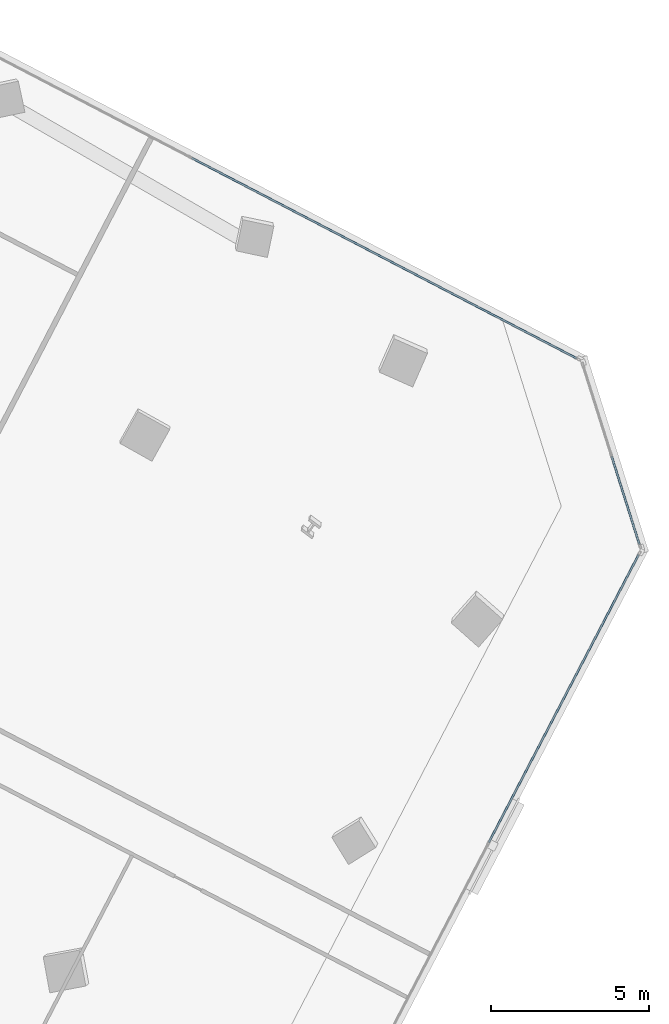
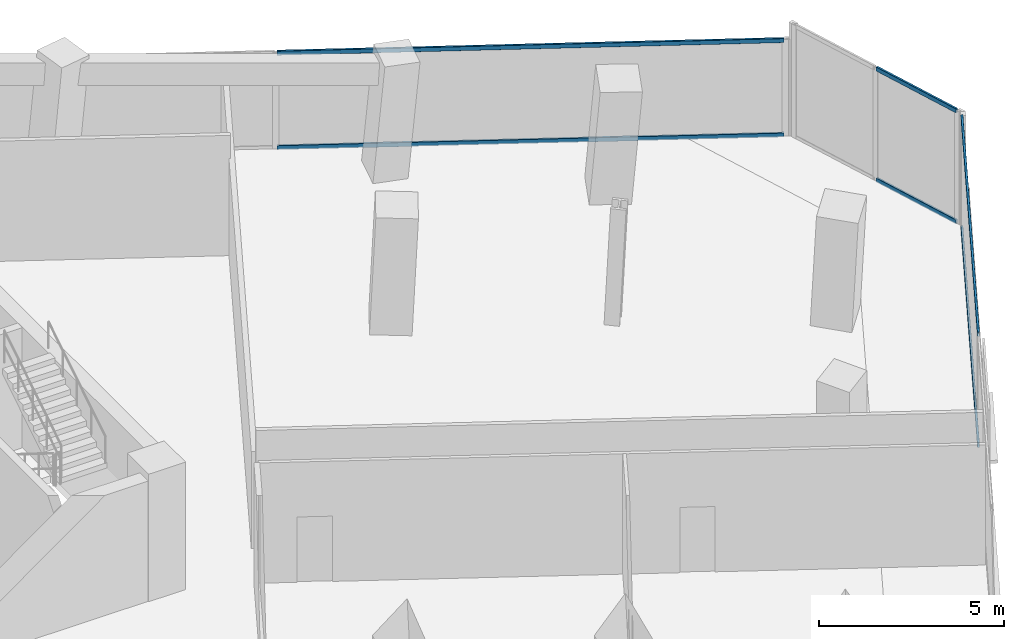
# One storey, part 9 of 22: 6 members, 3 elements without a shape of their own.
"""IFC4 building model written with IfcOpenShell, lengths in metres."""

from ifc_helpers import new_model, si_unit, direction, frame, origin, origin_2d, place, context, subcontext, project, spatial, hollow_rectangle, extrude, source, transform, mapped, material, material_profile, profile_set, type_object, element, aggregate, save


model = new_model("IFC4")

# Units and contexts
model_context = context("Model", 3, precision=1e-05, world=origin(), true_north=direction((0.0, 1.0)))
body_context = subcontext(model_context, "Body", "Model", "MODEL_VIEW")
ifc_project = project(units=[si_unit("LENGTHUNIT", "METRE"), si_unit("AREAUNIT", "SQUARE_METRE"), si_unit("VOLUMEUNIT", "CUBIC_METRE"), si_unit("PLANEANGLEUNIT", "RADIAN"), si_unit("MASSUNIT", "GRAM", prefix="KILO")], contexts=[model_context])

# Site, building, storey
site_placement = place(None, origin())
site = spatial("IfcSite", under=ifc_project, at=site_placement, CompositionType="ELEMENT")
building_placement = place(site_placement, origin())
building = spatial("IfcBuilding", under=site, at=building_placement, Name="Torre Montelarca", CompositionType="ELEMENT")
storey_placement = place(building_placement, frame((0.0, 0.0, 175.0)))
storey = spatial("IfcBuildingStorey", under=building, at=storey_placement, Name="L39", CompositionType="ELEMENT", Elevation=175.0)

# Curtain wall, members
ifc_material_1 = material(Name="Insulated low-E laminated glass", Category="glass")
curtain_wall_type = type_object("IfcCurtainWallType", Name="CW-SYS-Z2", PredefinedType="USERDEFINED", material=ifc_material_1)
curtain_wall_1_placement = place(storey_placement, origin())
curtain_wall_1 = element("IfcCurtainWall", 1, at=curtain_wall_1_placement, inside=storey, type_object=curtain_wall_type, Name="L39 Curtain Wall Run CW-T3-L39-E07-B1", ObjectType="UNITISED GLAZING", PredefinedType="USERDEFINED")
ifc_material_2 = material(Name="Anodised aluminium AA 6063-T6", Category="aluminium")
ifc_material_profile = material_profile(ifc_material_2, hollow_rectangle(XDim=0.06494140625, YDim=0.139892578125, WallThickness=0.00390625, InnerFilletRadius=0.00390625, OuterFilletRadius=0.008056640625, at=origin_2d()), Name="ALU65X140X4", Category="aluminium")
ifc_profile_set = profile_set([ifc_material_profile], Name="Anodised aluminium AA 6063-T6")
member_type = type_object("IfcMemberType", Name="CWT-ALU140", PredefinedType="USERDEFINED", material=ifc_profile_set)
shared_shape_1 = source(origin(), body_context, "Body", "SweptSolid", [
    extrude(hollow_rectangle(XDim=0.06494140625, YDim=0.139892578125, WallThickness=0.00390625, InnerFilletRadius=0.00390625, OuterFilletRadius=0.008056640625, at=origin_2d()), origin(), (0.0, 0.0, 1.0), 2.918701171875),
])
member_1_placement = place(storey_placement, frame((53.674072265625, 28.52197265625, 0.032470703125), z_axis=(-0.30062691611, 0.953741819, 0.0), x_axis=(-0.953741819, -0.30062691611, 0.0)))
member_1 = element("IfcMember", 2, at=member_1_placement, type_object=member_type, Name="CW transom 1.1", ObjectType="TRANSOM", PredefinedType="USERDEFINED", context=body_context, shape_type="MappedRepresentation", body=[
    mapped(shared_shape_1, transform((0.0, 0.0, 0.0), scale=1.0)),
])
member_2_placement = place(storey_placement, frame((53.674072265625, 28.52197265625, 3.6875), z_axis=(-0.30062691611, 0.953741819, 0.0), x_axis=(-0.953741819, -0.30062691611, 0.0)))
member_2 = element("IfcMember", 3, at=member_2_placement, type_object=member_type, Name="CW transom 1.2", ObjectType="TRANSOM", PredefinedType="USERDEFINED", context=body_context, shape_type="MappedRepresentation", body=[
    mapped(shared_shape_1, transform((0.0, 0.0, 0.0), scale=1.0)),
])
aggregate(curtain_wall_1, [member_1, member_2])

curtain_wall_2_placement = place(storey_placement, origin())
curtain_wall_2 = element("IfcCurtainWall", 4, at=curtain_wall_2_placement, inside=storey, type_object=curtain_wall_type, Name="L39 Curtain Wall Run CW-T3-L39-E06-B1", ObjectType="UNITISED GLAZING", PredefinedType="USERDEFINED")
shared_shape_2 = source(origin(), body_context, "Body", "SweptSolid", [
    extrude(hollow_rectangle(XDim=0.06494140625, YDim=0.139892578125, WallThickness=0.00390625, InnerFilletRadius=0.00390625, OuterFilletRadius=0.008056640625, at=origin_2d()), origin(), (0.0, 0.0, 1.0), 10.23681640625),
])
member_3_placement = place(storey_placement, frame((48.9189453125, 19.1162109375, 0.032470703125), z_axis=(0.461749931551, 0.887010146905, 0.0), x_axis=(-0.887010146905, 0.461749931551, 0.0)))
member_3 = element("IfcMember", 5, at=member_3_placement, type_object=member_type, Name="CW transom 2.1", ObjectType="TRANSOM", PredefinedType="USERDEFINED", context=body_context, shape_type="MappedRepresentation", body=[
    mapped(shared_shape_2, transform((0.0, 0.0, 0.0), scale=1.0)),
])
member_4_placement = place(storey_placement, frame((48.9189453125, 19.1162109375, 3.6875), z_axis=(0.461749931551, 0.887010146905, 0.0), x_axis=(-0.887010146905, 0.461749931551, 0.0)))
member_4 = element("IfcMember", 6, at=member_4_placement, type_object=member_type, Name="CW transom 2.2", ObjectType="TRANSOM", PredefinedType="USERDEFINED", context=body_context, shape_type="MappedRepresentation", body=[
    mapped(shared_shape_2, transform((0.0, 0.0, 0.0), scale=1.0)),
])
aggregate(curtain_wall_2, [member_3, member_4])

curtain_wall_3_placement = place(storey_placement, origin())
curtain_wall_3 = element("IfcCurtainWall", 7, at=curtain_wall_3_placement, inside=storey, type_object=curtain_wall_type, Name="L39 Curtain Wall Run CW-T3-L39-E08-B1", ObjectType="UNITISED GLAZING", PredefinedType="USERDEFINED")
shared_shape_3 = source(origin(), body_context, "Body", "SweptSolid", [
    extrude(hollow_rectangle(XDim=0.06494140625, YDim=0.139892578125, WallThickness=0.00390625, InnerFilletRadius=0.00390625, OuterFilletRadius=0.008056640625, at=origin_2d()), origin(), (0.0, 0.0, 1.0), 13.697509765625),
])
member_5_placement = place(storey_placement, frame((51.689208984375, 34.401611328125, 0.032470703125), z_axis=(-0.88701477405, 0.461741042811, 0.0), x_axis=(-0.461741042811, -0.88701477405, 0.0)))
member_5 = element("IfcMember", 8, at=member_5_placement, type_object=member_type, Name="CW transom 1.1", ObjectType="TRANSOM", PredefinedType="USERDEFINED", context=body_context, shape_type="MappedRepresentation", body=[
    mapped(shared_shape_3, transform((0.0, 0.0, 0.0), scale=1.0)),
])
member_6_placement = place(storey_placement, frame((51.689208984375, 34.401611328125, 3.142578125), z_axis=(-0.88701477405, 0.461741042811, 0.0), x_axis=(-0.461741042811, -0.88701477405, 0.0)))
member_6 = element("IfcMember", 9, at=member_6_placement, type_object=member_type, Name="CW transom 1.2", ObjectType="TRANSOM", PredefinedType="USERDEFINED", context=body_context, shape_type="MappedRepresentation", body=[
    mapped(shared_shape_3, transform((0.0, 0.0, 0.0), scale=1.0)),
])
aggregate(curtain_wall_3, [member_5, member_6])

save(model, "model.ifc")
